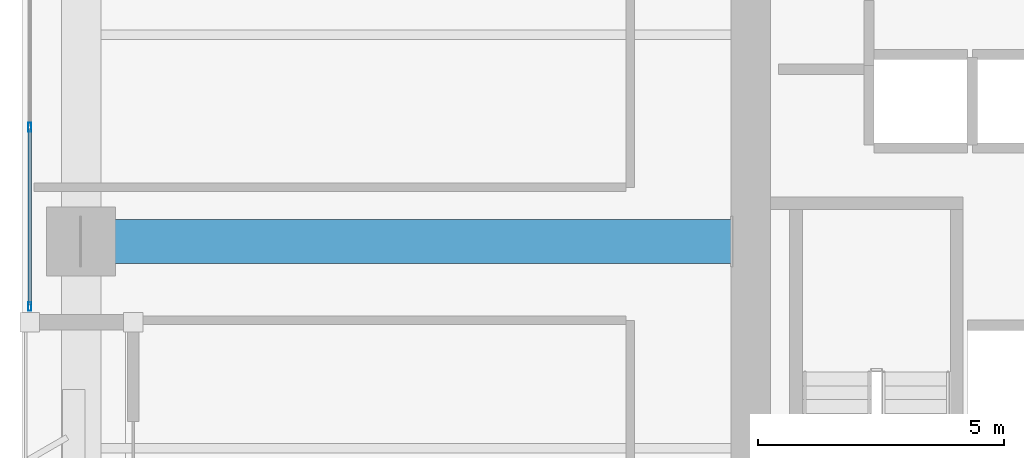
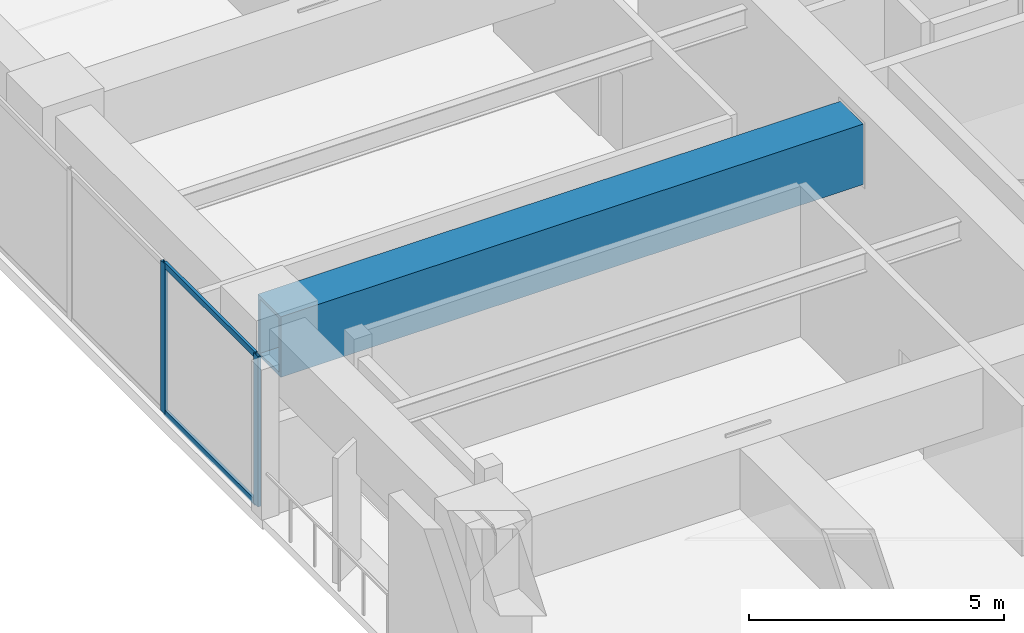
# One storey, part 2 of 25: 4 members, 1 beam, 1 element without a shape of its own.
"""IFC4 building model written with IfcOpenShell, lengths in metres."""

from ifc_helpers import new_model, si_unit, direction, frame, origin, origin_2d, place, context, subcontext, project, spatial, hollow_rectangle, extrude, material, layer, layer_set, material_profile, profile_set, type_object, element, aggregate, save


model = new_model("IFC4")

# Units and contexts
model_context = context("Model", 3, precision=1e-05, world=origin(), true_north=direction((0.0, 1.0)))
body_context = subcontext(model_context, "Body", "Model", "MODEL_VIEW")
ifc_project = project(units=[si_unit("LENGTHUNIT", "METRE"), si_unit("AREAUNIT", "SQUARE_METRE"), si_unit("VOLUMEUNIT", "CUBIC_METRE"), si_unit("PLANEANGLEUNIT", "RADIAN"), si_unit("MASSUNIT", "GRAM", prefix="KILO")], contexts=[model_context])

# Site, building, storey
site_placement = place(None, origin())
site = spatial("IfcSite", under=ifc_project, at=site_placement, CompositionType="ELEMENT")
building_placement = place(site_placement, origin())
building = spatial("IfcBuilding", under=site, at=building_placement, Name="Kiyonajd Concourse Tower", CompositionType="ELEMENT")
storey_placement = place(building_placement, frame((0.0, 0.0, 141.60009765625)))
storey = spatial("IfcBuildingStorey", under=building, at=storey_placement, Name="L36", CompositionType="ELEMENT", Elevation=141.60009765625)

# Beam
ifc_material_1 = material(Name="Steel ASTM A572 Grade 50", Category="steel")
ifc_material_profile_1 = material_profile(ifc_material_1, hollow_rectangle(XDim=0.89990234375, YDim=1.449951171875, WallThickness=0.074951171875, at=origin_2d()), Name="BOX-1450x900x75")
ifc_profile_set_1 = profile_set([ifc_material_profile_1], Name="Steel ASTM A572 Grade 50")
beam_type = type_object("IfcBeamType", Name="BM-XFER-1800", PredefinedType="BEAM", material=ifc_profile_set_1)
beam_placement = place(storey_placement, frame((19.199951171875, 36.0, 2.875), z_axis=(1.0, 0.0, 0.0), x_axis=(0.0, 1.0, 0.0)))
element("IfcBeam", 1, at=beam_placement, inside=storey, type_object=beam_type, Name="L36 West Lease Girder", PredefinedType="BEAM", context=body_context, shape_type="SweptSolid", body=[
    extrude(hollow_rectangle(XDim=0.89990234375, YDim=1.449951171875, WallThickness=0.074951171875, at=origin_2d()), origin(), (0.0, 0.0, 1.0), 13.199951171875),
])

# Curtain wall, members
ifc_material_2 = material(Name="Thermally Broken Anodised Aluminium", Category="aluminium")
ifc_layer = layer(ifc_material_2, 0.179931640625)
ifc_layer_set = layer_set([ifc_layer], Name="Thermally Broken Anodised Aluminium")
curtain_wall_type = type_object("IfcCurtainWallType", Name="CW-SYS-03", PredefinedType="NOTDEFINED", material=ifc_layer_set)
curtain_wall_placement = place(storey_placement, origin())
curtain_wall = element("IfcCurtainWall", 2, at=curtain_wall_placement, inside=storey, type_object=curtain_wall_type, Name="L36 Unitised Curtain Wall CW3", PredefinedType="NOTDEFINED")
ifc_material_profile_2 = material_profile(ifc_material_2, hollow_rectangle(XDim=0.06494140625, YDim=0.179931640625, WallThickness=0.00390625, at=origin_2d()), Name="MULL-65x180")
ifc_profile_set_2 = profile_set([ifc_material_profile_2], Name="Thermally Broken Anodised Aluminium")
member_type_1 = type_object("IfcMemberType", Name="MB-CW-MULL1", PredefinedType="MULLION", material=ifc_profile_set_2)
member_1_placement = place(storey_placement, frame((18.159912109375, 34.6826171875, 0.0), z_axis=(0.0, 0.0, 1.0), x_axis=(-1.0, 0.0, 0.0)))
member_1 = element("IfcMember", 3, at=member_1_placement, type_object=member_type_1, Name="CW3 mullion 1", PredefinedType="MULLION", context=body_context, shape_type="SweptSolid", body=[
    extrude(hollow_rectangle(XDim=0.06494140625, YDim=0.179931640625, WallThickness=0.00390625, at=origin_2d()), origin(), (0.0, 0.0, 1.0), 3.599853515625),
])
member_2_placement = place(storey_placement, frame((18.159912109375, 38.3232421875, 0.0), z_axis=(0.0, 0.0, 1.0), x_axis=(-1.0, 0.0, 0.0)))
member_2 = element("IfcMember", 4, at=member_2_placement, type_object=member_type_1, Name="CW3 mullion 2", PredefinedType="MULLION", context=body_context, shape_type="SweptSolid", body=[
    extrude(hollow_rectangle(XDim=0.06494140625, YDim=0.179931640625, WallThickness=0.00390625, at=origin_2d()), origin(), (0.0, 0.0, 1.0), 3.599853515625),
])
ifc_material_profile_3 = material_profile(ifc_material_2, hollow_rectangle(XDim=0.06494140625, YDim=0.139892578125, WallThickness=0.00390625, at=origin_2d()), Name="TRAN-65x140")
ifc_profile_set_3 = profile_set([ifc_material_profile_3], Name="Thermally Broken Anodised Aluminium")
member_type_2 = type_object("IfcMemberType", Name="MB-CW-TRAN1", PredefinedType="USERDEFINED", material=ifc_profile_set_3)
member_3_placement = place(storey_placement, frame((18.159912109375, 34.715087890625, 0.032470703125), z_axis=(0.0, 1.0, 0.0), x_axis=(-1.0, 0.0, 0.0)))
member_3 = element("IfcMember", 5, at=member_3_placement, type_object=member_type_2, Name="CW3 transom 1.1", ObjectType="TRANSOM", PredefinedType="USERDEFINED", context=body_context, shape_type="SweptSolid", body=[
    extrude(hollow_rectangle(XDim=0.06494140625, YDim=0.139892578125, WallThickness=0.00390625, at=origin_2d()), origin(), (0.0, 0.0, 1.0), 3.57568359375),
])
member_4_placement = place(storey_placement, frame((18.159912109375, 34.715087890625, 3.5673828125), z_axis=(0.0, 1.0, 0.0), x_axis=(-1.0, 0.0, 0.0)))
member_4 = element("IfcMember", 6, at=member_4_placement, type_object=member_type_2, Name="CW3 transom 1.2", ObjectType="TRANSOM", PredefinedType="USERDEFINED", context=body_context, shape_type="SweptSolid", body=[
    extrude(hollow_rectangle(XDim=0.06494140625, YDim=0.139892578125, WallThickness=0.00390625, at=origin_2d()), origin(), (0.0, 0.0, 1.0), 3.57568359375),
])
aggregate(curtain_wall, [member_1, member_2, member_3, member_4])

save(model, "model.ifc")
